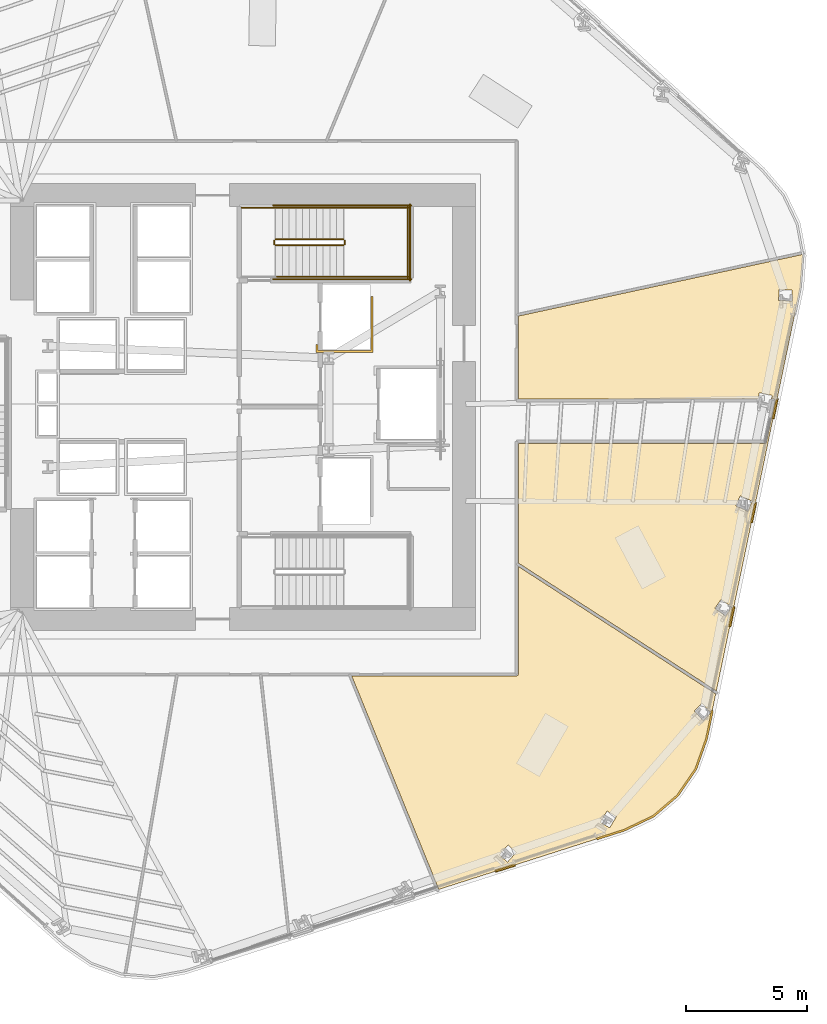
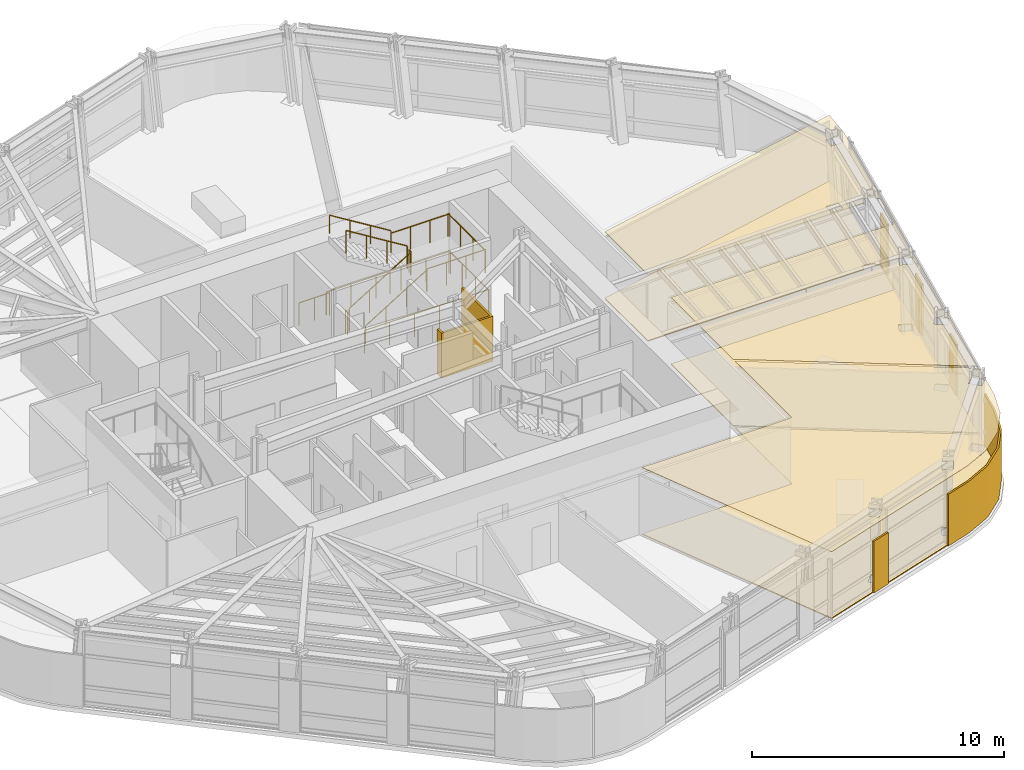
# One storey, part 14 of 16: 13 railings, 10 coverings.
"""IFC4 building model written with IfcOpenShell, lengths in metres."""

from ifc_helpers import new_model, si_unit, direction, frame, origin, origin_2d, place, context, subcontext, project, spatial, polyline, circle, outline, extrude, material, layer, layer_set, type_object, element, save


model = new_model("IFC4")

# Units and contexts
model_context = context("Model", 3, precision=1e-05, world=origin(), true_north=direction((0.0, 1.0)))
body_context = subcontext(model_context, "Body", "Model", "MODEL_VIEW")
ifc_project = project(units=[si_unit("LENGTHUNIT", "METRE"), si_unit("AREAUNIT", "SQUARE_METRE"), si_unit("VOLUMEUNIT", "CUBIC_METRE"), si_unit("PLANEANGLEUNIT", "RADIAN"), si_unit("MASSUNIT", "GRAM", prefix="KILO")], contexts=[model_context])

# Site, building, storey
site_placement = place(None, origin())
site = spatial("IfcSite", under=ifc_project, at=site_placement, CompositionType="ELEMENT")
building_placement = place(site_placement, origin())
building = spatial("IfcBuilding", under=site, at=building_placement, Name="Valkerne Bourse Tower", CompositionType="ELEMENT")
storey_placement = place(building_placement, frame((0.0, 0.0, 101.0)))
storey = spatial("IfcBuildingStorey", under=building, at=storey_placement, Name="L25", CompositionType="ELEMENT", Elevation=101.0)

# Coverings
ifc_material_1 = material(Name="Mineral Fiber Acoustic Ceiling Tile", Category="acoustic")
ifc_layer_1 = layer(ifc_material_1, 0.02490234375)
ifc_layer_set_1 = layer_set([ifc_layer_1], Name="Mineral Fiber Acoustic Ceiling Tile")
covering_type_1 = type_object("IfcCoveringType", Name="COV-CEIL-ACT", PredefinedType="CEILING", material=ifc_layer_set_1)
covering_1_placement = place(storey_placement, frame((0.0, 0.0, 3.22998046875)))
element("IfcCovering", 1, at=covering_1_placement, inside=storey, type_object=covering_type_1, Name="L25 Suspended Ceiling 05", PredefinedType="CEILING", context=body_context, shape_type="SweptSolid", body=[
    extrude(outline(polyline([(63.73876953125, 9.98779296875), (62.53955078125, 9.415771484375), (54.888427734375, 6.965576171875), (51.291015625, 15.781005859375), (58.1005859375, 15.781005859375), (58.135986328125, 15.791015625), (58.15966796875, 15.81494140625), (58.1689453125, 15.849609375), (58.1689453125, 20.299072265625), (66.318359375, 15.035400390625), (65.93310546875, 13.184814453125), (65.489501953125, 11.93212890625), (64.7421875, 10.8447265625), (63.73876953125, 9.98779296875)]), holes=[polyline([(57.72509765625, 8.094482421875), (58.08251953125, 8.4951171875), (57.747802734375, 8.79541015625), (57.7451171875, 8.7939453125), (57.387451171875, 8.393310546875), (57.722412109375, 8.093017578125), (57.72509765625, 8.094482421875)]), polyline([(61.94091796875, 9.50927734375), (62.216552734375, 9.969970703125), (61.831298828125, 10.201904296875), (61.82861328125, 10.19970703125), (61.552978515625, 9.7392578125), (61.9384765625, 9.507080078125), (61.94091796875, 9.50927734375)]), polyline([(66.1259765625, 14.25732421875), (65.752197265625, 14.6455078125), (65.4287109375, 14.33544921875), (65.427001953125, 14.33251953125), (65.800537109375, 13.944580078125), (66.1240234375, 14.254638671875), (66.1259765625, 14.25732421875)])]), origin(), (0.0, 0.0, 1.0), 0.02490234375),
])
covering_2_placement = place(storey_placement, frame((0.0, 0.0, 3.22998046875)))
element("IfcCovering", 2, at=covering_2_placement, inside=storey, type_object=covering_type_1, Name="L25 Suspended Ceiling 07", PredefinedType="CEILING", context=body_context, shape_type="SweptSolid", body=[
    extrude(outline(polyline([(66.343994140625, 15.1591796875), (58.1689453125, 20.439453125), (58.1689453125, 25.381103515625), (68.35791015625, 25.3818359375), (68.3935546875, 25.39892578125), (68.414306640625, 25.435302734375), (68.7685546875, 27.13671875), (68.7607421875, 27.1845703125), (68.73681640625, 27.208984375), (68.7041015625, 27.218994140625), (68.638916015625, 27.216796875), (68.614501953125, 27.20068359375), (68.64697265625, 27.35498046875), (68.64697265625, 27.358154296875), (68.119384765625, 27.468017578125), (68.06640625, 27.214599609375), (68.0556640625, 27.218994140625), (58.1689453125, 27.218994140625), (58.1689453125, 30.63330078125), (69.90576171875, 33.177001953125), (69.913818359375, 33.134521484375), (69.809326171875, 31.80908203125), (66.343994140625, 15.1591796875)]), holes=[polyline([(66.980224609375, 18.622802734375), (66.540283203125, 18.933837890625), (66.281005859375, 18.568115234375), (66.27978515625, 18.565185546875), (66.7197265625, 18.25439453125), (66.97900390625, 18.619873046875), (66.980224609375, 18.622802734375)]), polyline([(67.82080078125, 22.99267578125), (67.326416015625, 23.20751953125), (67.147216796875, 22.796630859375), (67.146484375, 22.793701171875), (67.640625, 22.57861328125), (67.820068359375, 22.989501953125), (67.82080078125, 22.99267578125)]), polyline([(69.4638671875, 31.71240234375), (68.92529296875, 31.72119140625), (68.917236328125, 31.273193359375), (68.917724609375, 31.269775390625), (69.45654296875, 31.26123046875), (69.464599609375, 31.709228515625), (69.4638671875, 31.71240234375)])]), origin(), (0.0, 0.0, 1.0), 0.02490234375),
])
ifc_material_2 = material(Name="Bronze Anodised Aluminium AA 6063-T6", Category="aluminium")
ifc_layer_2 = layer(ifc_material_2, 0.06005859375)
ifc_layer_set_2 = layer_set([ifc_layer_2], Name="Bronze Anodised Aluminium AA 6063-T6")
covering_type_2 = type_object("IfcCoveringType", Name="COV-CRN-ALUM", PredefinedType="CLADDING", material=ifc_layer_set_2)
covering_3_placement = place(storey_placement, origin())
element("IfcCovering", 3, at=covering_3_placement, inside=storey, type_object=covering_type_2, Name="L25 Wind-Shaped Corner Aluminium Cladding 01", PredefinedType="CLADDING", context=body_context, shape_type="SweptSolid", body=[
    extrude(outline(polyline([(65.529052734375, 11.912109375), (64.775146484375, 10.815185546875), (63.762939453125, 9.95068359375), (62.555908203125, 9.374755859375), (61.42041015625, 9.01123046875), (61.395751953125, 9.08740234375), (62.526123046875, 9.44921875), (63.718994140625, 10.018310546875), (64.715087890625, 10.869140625), (65.457275390625, 11.94873046875), (65.8984375, 13.194580078125), (66.140380859375, 14.356689453125), (66.218505859375, 14.340087890625), (65.9755859375, 13.1728515625), (65.529052734375, 11.912109375)])), origin(), (0.0, 0.0, 1.0), 2.5),
])
covering_4_placement = place(storey_placement, origin())
element("IfcCovering", 4, at=covering_4_placement, inside=storey, type_object=covering_type_2, Name="L25 Wind-Shaped Corner Aluminium Cladding 02", PredefinedType="CLADDING", context=body_context, shape_type="SweptSolid", body=[
    extrude(outline(polyline([(57.24609375, 7.67431640625), (57.221435546875, 7.75048828125), (58.021484375, 8.006591796875), (58.046142578125, 7.9306640625), (57.24609375, 7.67431640625)])), origin(), (0.0, 0.0, 1.0), 2.5),
])
covering_5_placement = place(storey_placement, origin())
element("IfcCovering", 5, at=covering_5_placement, inside=storey, type_object=covering_type_2, Name="L25 Wind-Shaped Corner Aluminium Cladding 22", PredefinedType="CLADDING", context=body_context, shape_type="SweptSolid", body=[
    extrude(outline(polyline([(68.7265625, 26.390869140625), (68.6484375, 26.407470703125), (68.819580078125, 27.229736328125), (68.897705078125, 27.213134765625), (68.7265625, 26.390869140625)])), origin(), (0.0, 0.0, 1.0), 2.5),
])
covering_6_placement = place(storey_placement, origin())
element("IfcCovering", 6, at=covering_6_placement, inside=storey, type_object=covering_type_2, Name="L25 Wind-Shaped Corner Aluminium Cladding 23", PredefinedType="CLADDING", context=body_context, shape_type="SweptSolid", body=[
    extrude(outline(polyline([(67.83349609375, 22.099853515625), (67.75537109375, 22.116455078125), (67.926513671875, 22.938720703125), (68.004638671875, 22.922119140625), (67.83349609375, 22.099853515625)])), origin(), (0.0, 0.0, 1.0), 2.5),
])
covering_7_placement = place(storey_placement, origin())
element("IfcCovering", 7, at=covering_7_placement, inside=storey, type_object=covering_type_2, Name="L25 Wind-Shaped Corner Aluminium Cladding 24", PredefinedType="CLADDING", context=body_context, shape_type="SweptSolid", body=[
    extrude(outline(polyline([(66.9404296875, 17.80859375), (66.8623046875, 17.8251953125), (67.033447265625, 18.647705078125), (67.111572265625, 18.631103515625), (66.9404296875, 17.80859375)])), origin(), (0.0, 0.0, 1.0), 2.5),
])
ifc_material_3 = material(Name="Galvanised Painted Steel", Category="steel")
ifc_layer_3 = layer(ifc_material_3, 0.044921875)
ifc_layer_set_3 = layer_set([ifc_layer_3], Name="Galvanised Painted Steel")
covering_type_3 = type_object("IfcCoveringType", Name="COV-FLR-RAF", PredefinedType="FLOORING", material=ifc_layer_set_3)
covering_8_placement = place(storey_placement, origin())
element("IfcCovering", 8, at=covering_8_placement, inside=storey, type_object=covering_type_3, Name="L25 Floor Finish 05", PredefinedType="FLOORING", context=body_context, shape_type="SweptSolid", body=[
    extrude(outline(polyline([(63.73876953125, 9.98779296875), (62.53955078125, 9.415771484375), (54.888427734375, 6.965576171875), (51.291015625, 15.781005859375), (58.1005859375, 15.781005859375), (58.135986328125, 15.791015625), (58.15966796875, 15.81494140625), (58.1689453125, 15.849609375), (58.1689453125, 20.299072265625), (66.318359375, 15.035400390625), (65.93310546875, 13.184814453125), (65.489501953125, 11.93212890625), (64.7421875, 10.8447265625), (63.73876953125, 9.98779296875)]), holes=[polyline([(57.72509765625, 8.094482421875), (58.08251953125, 8.4951171875), (57.747802734375, 8.79541015625), (57.7451171875, 8.7939453125), (57.387451171875, 8.393310546875), (57.722412109375, 8.093017578125), (57.72509765625, 8.094482421875)]), polyline([(61.94091796875, 9.50927734375), (62.216552734375, 9.969970703125), (61.831298828125, 10.201904296875), (61.82861328125, 10.19970703125), (61.552978515625, 9.7392578125), (61.9384765625, 9.507080078125), (61.94091796875, 9.50927734375)]), polyline([(66.1259765625, 14.25732421875), (65.752197265625, 14.6455078125), (65.4287109375, 14.33544921875), (65.427001953125, 14.33251953125), (65.800537109375, 13.944580078125), (66.1240234375, 14.254638671875), (66.1259765625, 14.25732421875)])]), origin(), (0.0, 0.0, 1.0), 0.044921875),
])
covering_9_placement = place(storey_placement, origin())
element("IfcCovering", 9, at=covering_9_placement, inside=storey, type_object=covering_type_3, Name="L25 Floor Finish 07", PredefinedType="FLOORING", context=body_context, shape_type="SweptSolid", body=[
    extrude(outline(polyline([(66.343994140625, 15.1591796875), (58.1689453125, 20.439453125), (58.1689453125, 25.381103515625), (68.35791015625, 25.3818359375), (68.3935546875, 25.39892578125), (68.414306640625, 25.435302734375), (68.7685546875, 27.13671875), (68.7607421875, 27.1845703125), (68.73681640625, 27.208984375), (68.7041015625, 27.218994140625), (68.638916015625, 27.216796875), (68.614501953125, 27.20068359375), (68.64697265625, 27.35498046875), (68.64697265625, 27.358154296875), (68.119384765625, 27.468017578125), (68.06640625, 27.214599609375), (68.0556640625, 27.218994140625), (58.1689453125, 27.218994140625), (58.1689453125, 30.63330078125), (69.90576171875, 33.177001953125), (69.913818359375, 33.134521484375), (69.809326171875, 31.80908203125), (66.343994140625, 15.1591796875)]), holes=[polyline([(66.980224609375, 18.622802734375), (66.540283203125, 18.933837890625), (66.281005859375, 18.568115234375), (66.27978515625, 18.565185546875), (66.7197265625, 18.25439453125), (66.97900390625, 18.619873046875), (66.980224609375, 18.622802734375)]), polyline([(67.82080078125, 22.99267578125), (67.326416015625, 23.20751953125), (67.147216796875, 22.796630859375), (67.146484375, 22.793701171875), (67.640625, 22.57861328125), (67.820068359375, 22.989501953125), (67.82080078125, 22.99267578125)]), polyline([(69.4638671875, 31.71240234375), (68.92529296875, 31.72119140625), (68.917236328125, 31.273193359375), (68.917724609375, 31.269775390625), (69.45654296875, 31.26123046875), (69.464599609375, 31.709228515625), (69.4638671875, 31.71240234375)])]), origin(), (0.0, 0.0, 1.0), 0.044921875),
])
ifc_material_4 = material(Name="Gypsum Shaftwall Liner Board", Category="gypsum")
ifc_layer_4 = layer(ifc_material_4, 0.080078125)
ifc_layer_set_4 = layer_set([ifc_layer_4], Name="Gypsum Shaftwall Liner Board")
covering_type_4 = type_object("IfcCoveringType", Name="COV-SHF-CLAD", PredefinedType="CLADDING", material=ifc_layer_set_4)
covering_10_placement = place(storey_placement, origin())
element("IfcCovering", 10, at=covering_10_placement, inside=storey, type_object=covering_type_4, Name="L25 Hoistway & Riser Shaftwall Liner 10", PredefinedType="CLADDING", context=body_context, shape_type="SweptSolid", body=[
    extrude(outline(polyline([(49.820068359375, 29.1201171875), (49.820068359375, 29.468017578125), (49.827880859375, 29.46435546875), (49.869384765625, 29.449462890625), (49.909912109375, 29.439208984375), (49.909912109375, 29.2099609375), (52.090087890625, 29.2099609375), (52.090087890625, 31.449951171875), (52.179931640625, 31.449951171875), (52.179931640625, 29.1201171875), (49.820068359375, 29.1201171875)])), origin(), (0.0, 0.0, 1.0), 2.179931640625),
])

# Railings
railing_type_1 = type_object("IfcRailingType", Name="RLG-ST-GUARD-1120", PredefinedType="GUARDRAIL", material=ifc_material_3)
railing_1_placement = place(storey_placement, frame((48.14990234375, 33.550048828125, 0.172607421875)))
element("IfcRailing", 11, at=railing_1_placement, inside=storey, type_object=railing_type_1, Name="L25 ST-2 stair guard 1", PredefinedType="GUARDRAIL", context=body_context, shape_type="SweptSolid", body=[
    extrude(circle(Radius=0.02392578125, at=origin_2d()), frame((0.0, 0.0, 1.09619140625), z_axis=(0.851089632645, 0.0, 0.525020415988), x_axis=(0.0, 1.0, 0.0)), (0.0, 0.0, 1.0), 3.2900390625),
    extrude(circle(Radius=0.02099609375, at=origin_2d()), origin(), (0.0, 0.0, 1.0), 1.072021484375),
    extrude(circle(Radius=0.02099609375, at=origin_2d()), frame((0.933349609375, 0.0, 0.57568359375)), (0.0, 0.0, 1.0), 1.072021484375),
    extrude(circle(Radius=0.02099609375, at=origin_2d()), frame((1.86669921875, 0.0, 1.151611328125)), (0.0, 0.0, 1.0), 1.072021484375),
    extrude(circle(Radius=0.02099609375, at=origin_2d()), frame((2.800048828125, 0.0, 1.727294921875)), (0.0, 0.0, 1.0), 1.072021484375),
])
railing_2_placement = place(storey_placement, frame((51.0, 33.60009765625, 1.89990234375)))
element("IfcRailing", 12, at=railing_2_placement, inside=storey, type_object=railing_type_1, Name="L25 ST-2 stair guard 2", PredefinedType="GUARDRAIL", context=body_context, shape_type="SweptSolid", body=[
    extrude(circle(Radius=0.02392578125, at=origin_2d()), frame((0.0, 0.0, 1.09619140625), z_axis=(0.0, 1.0, 0.0), x_axis=(-1.0, 0.0, 0.0)), (0.0, 0.0, 1.0), 0.14990234375),
    extrude(circle(Radius=0.02099609375, at=origin_2d()), origin(), (0.0, 0.0, 1.0), 1.072021484375),
    extrude(circle(Radius=0.02099609375, at=origin_2d()), frame((0.0, 0.14990234375, 0.0)), (0.0, 0.0, 1.0), 1.072021484375),
])
for number, where, name in (
    (13, (50.949951171875, 32.25, 1.89990234375), "L25 ST-2 stair guard 3"),
    (14, (50.949951171875, 35.10009765625, 1.89990234375), "L25 ST-2 stair guard 4"),
):
    element("IfcRailing", number, at=place(storey_placement, frame(where)), inside=storey, type_object=railing_type_1, Name=name, PredefinedType="GUARDRAIL", context=body_context, shape_type="SweptSolid", body=[
        extrude(circle(Radius=0.02392578125, at=origin_2d()), frame((0.0, 0.0, 1.09619140625), z_axis=(1.0, 0.0, 0.0), x_axis=(0.0, 1.0, 0.0)), (0.0, 0.0, 1.0), 2.699951171875),
        extrude(circle(Radius=0.02099609375, at=origin_2d()), origin(), (0.0, 0.0, 1.0), 1.072021484375),
        extrude(circle(Radius=0.02099609375, at=origin_2d()), frame((0.89990234375, 0.0, 0.0)), (0.0, 0.0, 1.0), 1.072021484375),
        extrude(circle(Radius=0.02099609375, at=origin_2d()), frame((1.800048828125, 0.0, 0.0)), (0.0, 0.0, 1.0), 1.072021484375),
        extrude(circle(Radius=0.02099609375, at=origin_2d()), frame((2.699951171875, 0.0, 0.0)), (0.0, 0.0, 1.0), 1.072021484375),
    ])
railing_3_placement = place(storey_placement, frame((53.60009765625, 32.199951171875, 1.89990234375)))
element("IfcRailing", 15, at=railing_3_placement, inside=storey, type_object=railing_type_1, Name="L25 ST-2 stair guard 5", PredefinedType="GUARDRAIL", context=body_context, shape_type="SweptSolid", body=[
    extrude(circle(Radius=0.02392578125, at=origin_2d()), frame((0.0, 0.0, 1.09619140625), z_axis=(0.0, 1.0, 0.0), x_axis=(-1.0, 0.0, 0.0)), (0.0, 0.0, 1.0), 2.949951171875),
    extrude(circle(Radius=0.02099609375, at=origin_2d()), origin(), (0.0, 0.0, 1.0), 1.072021484375),
    extrude(circle(Radius=0.02099609375, at=origin_2d()), frame((0.0, 0.9833984375, 0.0)), (0.0, 0.0, 1.0), 1.072021484375),
    extrude(circle(Radius=0.02099609375, at=origin_2d()), frame((0.0, 1.966552734375, 0.0)), (0.0, 0.0, 1.0), 1.072021484375),
    extrude(circle(Radius=0.02099609375, at=origin_2d()), frame((0.0, 2.949951171875, 0.0)), (0.0, 0.0, 1.0), 1.072021484375),
])
railing_4_placement = place(storey_placement, frame((50.949951171875, 33.800048828125, 2.07275390625)))
element("IfcRailing", 16, at=railing_4_placement, inside=storey, type_object=railing_type_1, Name="L25 ST-2 stair guard 6", PredefinedType="GUARDRAIL", context=body_context, shape_type="SweptSolid", body=[
    extrude(circle(Radius=0.02392578125, at=origin_2d()), frame((0.0, 0.0, 1.09619140625), z_axis=(-0.851089632645, 0.0, 0.525020415988), x_axis=(0.0, -1.0, 0.0)), (0.0, 0.0, 1.0), 3.2900390625),
    extrude(circle(Radius=0.02099609375, at=origin_2d()), origin(), (0.0, 0.0, 1.0), 1.072021484375),
    extrude(circle(Radius=0.02099609375, at=origin_2d()), frame((-0.933349609375, 0.0, 0.57568359375)), (0.0, 0.0, 1.0), 1.072021484375),
    extrude(circle(Radius=0.02099609375, at=origin_2d()), frame((-1.86669921875, 0.0, 1.151611328125)), (0.0, 0.0, 1.0), 1.072021484375),
    extrude(circle(Radius=0.02099609375, at=origin_2d()), frame((-2.800048828125, 0.0, 1.727294921875)), (0.0, 0.0, 1.0), 1.072021484375),
])
railing_5_placement = place(storey_placement, frame((48.10009765625, 33.60009765625, 0.0)))
element("IfcRailing", 17, at=railing_5_placement, inside=storey, type_object=railing_type_1, Name="L25 ST-2 stair guard 7", PredefinedType="GUARDRAIL", context=body_context, shape_type="SweptSolid", body=[
    extrude(circle(Radius=0.02392578125, at=origin_2d()), frame((0.0, 0.0, 1.09619140625), z_axis=(0.0, 1.0, 0.0), x_axis=(-1.0, 0.0, 0.0)), (0.0, 0.0, 1.0), 0.14990234375),
    extrude(circle(Radius=0.02099609375, at=origin_2d()), origin(), (0.0, 0.0, 1.0), 1.072021484375),
    extrude(circle(Radius=0.02099609375, at=origin_2d()), frame((0.0, 0.14990234375, 0.0)), (0.0, 0.0, 1.0), 1.072021484375),
])
railing_6_placement = place(storey_placement, frame((46.75, 35.10009765625, 0.0)))
element("IfcRailing", 18, at=railing_6_placement, inside=storey, type_object=railing_type_1, Name="L25 ST-2 stair guard 9", PredefinedType="GUARDRAIL", context=body_context, shape_type="SweptSolid", body=[
    extrude(circle(Radius=0.02392578125, at=origin_2d()), frame((0.0, 0.0, 1.09619140625), z_axis=(1.0, 0.0, 0.0), x_axis=(0.0, 1.0, 0.0)), (0.0, 0.0, 1.0), 1.39990234375),
    extrude(circle(Radius=0.02099609375, at=origin_2d()), origin(), (0.0, 0.0, 1.0), 1.072021484375),
    extrude(circle(Radius=0.02099609375, at=origin_2d()), frame((0.699951171875, 0.0, 0.0)), (0.0, 0.0, 1.0), 1.072021484375),
    extrude(circle(Radius=0.02099609375, at=origin_2d()), frame((1.39990234375, 0.0, 0.0)), (0.0, 0.0, 1.0), 1.072021484375),
])
for number, where, name in (
    (19, (48.050048828125, 32.14990234375, 0.0), "L25 ST-2 stair guard 10"),
    (20, (48.050048828125, 35.199951171875, 0.0), "L25 ST-2 stair guard 11"),
):
    element("IfcRailing", number, at=place(storey_placement, frame(where)), inside=storey, type_object=railing_type_1, Name=name, PredefinedType="GUARDRAIL", context=body_context, shape_type="SweptSolid", body=[
        extrude(circle(Radius=0.02392578125, at=origin_2d()), frame((0.0, 0.0, 1.09619140625), z_axis=(1.0, 0.0, 0.0), x_axis=(0.0, 1.0, 0.0)), (0.0, 0.0, 1.0), 5.699951171875),
        extrude(circle(Radius=0.02099609375, at=origin_2d()), origin(), (0.0, 0.0, 1.0), 1.072021484375),
        extrude(circle(Radius=0.02099609375, at=origin_2d()), frame((1.139892578125, 0.0, 0.0)), (0.0, 0.0, 1.0), 1.072021484375),
        extrude(circle(Radius=0.02099609375, at=origin_2d()), frame((2.280029296875, 0.0, 0.0)), (0.0, 0.0, 1.0), 1.072021484375),
        extrude(circle(Radius=0.02099609375, at=origin_2d()), frame((3.419921875, 0.0, 0.0)), (0.0, 0.0, 1.0), 1.072021484375),
        extrude(circle(Radius=0.02099609375, at=origin_2d()), frame((4.56005859375, 0.0, 0.0)), (0.0, 0.0, 1.0), 1.072021484375),
        extrude(circle(Radius=0.02099609375, at=origin_2d()), frame((5.699951171875, 0.0, 0.0)), (0.0, 0.0, 1.0), 1.072021484375),
    ])
railing_7_placement = place(storey_placement, frame((53.699951171875, 32.10009765625, 0.0)))
element("IfcRailing", 21, at=railing_7_placement, inside=storey, type_object=railing_type_1, Name="L25 ST-2 stair guard 12", PredefinedType="GUARDRAIL", context=body_context, shape_type="SweptSolid", body=[
    extrude(circle(Radius=0.02392578125, at=origin_2d()), frame((0.0, 0.0, 1.09619140625), z_axis=(0.0, 1.0, 0.0), x_axis=(-1.0, 0.0, 0.0)), (0.0, 0.0, 1.0), 3.14990234375),
    extrude(circle(Radius=0.02099609375, at=origin_2d()), origin(), (0.0, 0.0, 1.0), 1.072021484375),
    extrude(circle(Radius=0.02099609375, at=origin_2d()), frame((0.0, 1.050048828125, 0.0)), (0.0, 0.0, 1.0), 1.072021484375),
    extrude(circle(Radius=0.02099609375, at=origin_2d()), frame((0.0, 2.099853515625, 0.0)), (0.0, 0.0, 1.0), 1.072021484375),
    extrude(circle(Radius=0.02099609375, at=origin_2d()), frame((0.0, 3.14990234375, 0.0)), (0.0, 0.0, 1.0), 1.072021484375),
])
ifc_material_5 = material(Name="Stainless Steel AISI 316", Category="steel")
railing_type_2 = type_object("IfcRailingType", Name="RLG-ST-HANDRAIL-900", PredefinedType="HANDRAIL", material=ifc_material_5)
railing_8_placement = place(storey_placement, frame((48.14990234375, 32.25, 0.345458984375)))
element("IfcRailing", 22, at=railing_8_placement, inside=storey, type_object=railing_type_2, Name="L25 ST-2 stair handrail 1", PredefinedType="HANDRAIL", context=body_context, shape_type="SweptSolid", body=[
    extrude(circle(Radius=0.02392578125, at=origin_2d()), frame((0.0, 0.0, 0.8759765625), z_axis=(0.851089632645, 0.0, 0.525020415988), x_axis=(0.0, 1.0, 0.0)), (0.0, 0.0, 1.0), 3.2900390625),
    extrude(circle(Radius=0.02099609375, at=origin_2d()), origin(), (0.0, 0.0, 1.0), 0.851806640625),
    extrude(circle(Radius=0.02099609375, at=origin_2d()), frame((0.933349609375, 0.0, 0.57568359375)), (0.0, 0.0, 1.0), 0.851806640625),
    extrude(circle(Radius=0.02099609375, at=origin_2d()), frame((1.86669921875, 0.0, 1.151611328125)), (0.0, 0.0, 1.0), 0.851806640625),
    extrude(circle(Radius=0.02099609375, at=origin_2d()), frame((2.800048828125, 0.0, 1.727294921875)), (0.0, 0.0, 1.0), 0.851806640625),
])
railing_9_placement = place(storey_placement, frame((50.949951171875, 35.10009765625, 2.245361328125)))
element("IfcRailing", 23, at=railing_9_placement, inside=storey, type_object=railing_type_2, Name="L25 ST-2 stair handrail 2", PredefinedType="HANDRAIL", context=body_context, shape_type="SweptSolid", body=[
    extrude(circle(Radius=0.02392578125, at=origin_2d()), frame((0.0, 0.0, 0.8759765625), z_axis=(-0.851089632645, 0.0, 0.525020415988), x_axis=(0.0, -1.0, 0.0)), (0.0, 0.0, 1.0), 3.2900390625),
    extrude(circle(Radius=0.02099609375, at=origin_2d()), origin(), (0.0, 0.0, 1.0), 0.851806640625),
    extrude(circle(Radius=0.02099609375, at=origin_2d()), frame((-0.933349609375, 0.0, 0.57568359375)), (0.0, 0.0, 1.0), 0.851806640625),
    extrude(circle(Radius=0.02099609375, at=origin_2d()), frame((-1.86669921875, 0.0, 1.151611328125)), (0.0, 0.0, 1.0), 0.851806640625),
    extrude(circle(Radius=0.02099609375, at=origin_2d()), frame((-2.800048828125, 0.0, 1.727294921875)), (0.0, 0.0, 1.0), 0.851806640625),
])

save(model, "model.ifc")
